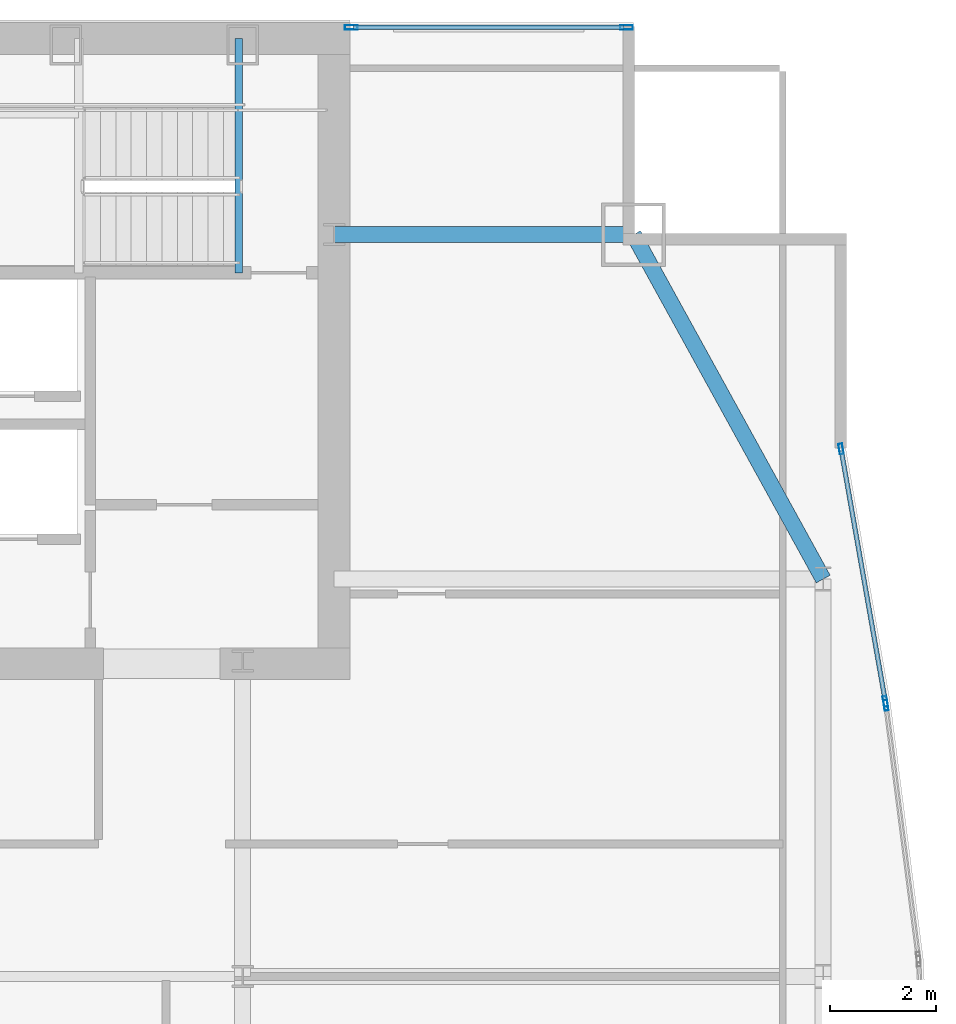
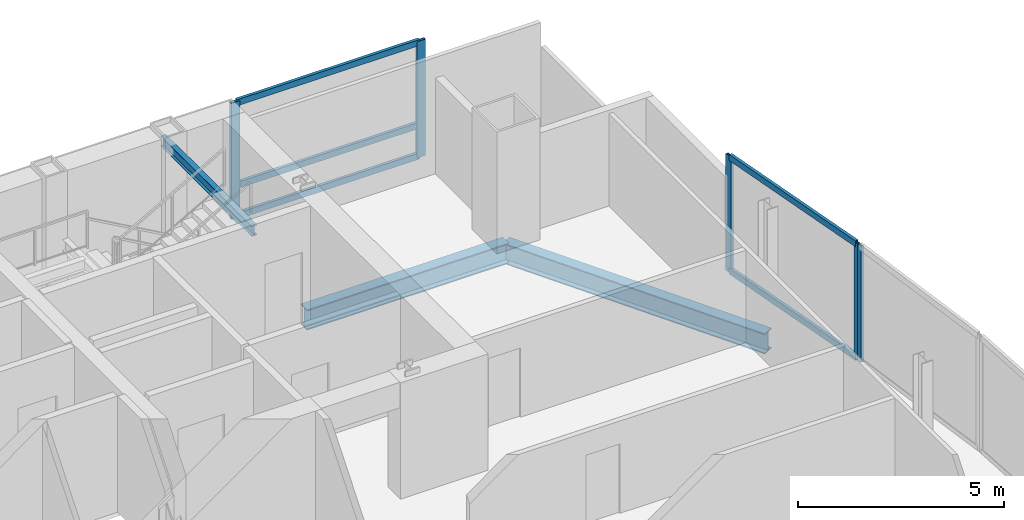
# One storey, part 23 of 30: 10 members, 3 beams, 3 elements without a shape of their own.
"""IFC4 building model written with IfcOpenShell, lengths in metres."""

from ifc_helpers import new_model, si_unit, direction, frame, origin, origin_2d, place, context, subcontext, project, spatial, hollow_rectangle, i_section, extrude, material, material_profile, profile_set, type_object, element, aggregate, save


model = new_model("IFC4")

# Units and contexts
model_context = context("Model", 3, precision=1e-05, world=origin(), true_north=direction((0.0, 1.0)))
body_context = subcontext(model_context, "Body", "Model", "MODEL_VIEW")
ifc_project = project(units=[si_unit("LENGTHUNIT", "METRE"), si_unit("AREAUNIT", "SQUARE_METRE"), si_unit("VOLUMEUNIT", "CUBIC_METRE"), si_unit("PLANEANGLEUNIT", "RADIAN"), si_unit("MASSUNIT", "GRAM", prefix="KILO")], contexts=[model_context])

# Site, building, storey
site_placement = place(None, origin())
site = spatial("IfcSite", under=ifc_project, at=site_placement, CompositionType="ELEMENT")
building_placement = place(site_placement, origin())
building = spatial("IfcBuilding", under=site, at=building_placement, Name="Khoronbel Lancet Exchange", CompositionType="ELEMENT")
storey_placement = place(building_placement, frame((0.0, 0.0, 203.0)))
storey = spatial("IfcBuildingStorey", under=building, at=storey_placement, Name="L51", CompositionType="ELEMENT", Elevation=203.0)

# Beams
ifc_material_1 = material(Name="Steel S355", Category="steel")
ifc_material_profile_1 = material_profile(ifc_material_1, i_section(OverallWidth=0.14990234375, OverallDepth=0.300048828125, WebThickness=0.007080078125, FlangeThickness=0.0107421875, at=origin_2d()), Name="IPE 300")
ifc_profile_set_1 = profile_set([ifc_material_profile_1], Name="Steel S355")
beam_type_1 = type_object("IfcBeamType", Name="BM-BJ8", PredefinedType="JOIST", material=ifc_profile_set_1)
beam_1_placement = place(storey_placement, frame((54.60009765625, 48.97998046875, 3.159912109375), z_axis=(0.0, 1.0, 0.0), x_axis=(-1.0, 0.0, 0.0)))
element("IfcBeam", 1, at=beam_1_placement, inside=storey, type_object=beam_type_1, Name="Level L51 stair ST2 upper-flight arrival trimmer beam", PredefinedType="JOIST", context=body_context, shape_type="SweptSolid", body=[
    extrude(i_section(OverallWidth=0.14990234375, OverallDepth=0.300048828125, WebThickness=0.007080078125, FlangeThickness=0.0107421875, at=origin_2d()), origin(), (0.0, 0.0, 1.0), 4.419921875),
])
ifc_material_profile_2 = material_profile(ifc_material_1, i_section(OverallWidth=0.300048828125, OverallDepth=0.60009765625, WebThickness=0.015380859375, FlangeThickness=0.030029296875, at=origin_2d()), Name="HEB 600")
ifc_profile_set_2 = profile_set([ifc_material_profile_2], Name="Steel S355")
beam_type_2 = type_object("IfcBeamType", Name="BM-BSP2", PredefinedType="SPANDREL", material=ifc_profile_set_2)
beam_2_placement = place(storey_placement, frame((65.6298828125, 43.199951171875, -0.4599609375), z_axis=(-0.482418808117, 0.875940690672, 0.0), x_axis=(-0.875940690672, -0.482418808117, 0.0)))
element("IfcBeam", 2, at=beam_2_placement, inside=storey, type_object=beam_type_2, Name="Level L51 perimeter spandrel beam SP15", PredefinedType="SPANDREL", context=body_context, shape_type="SweptSolid", body=[
    extrude(i_section(OverallWidth=0.300048828125, OverallDepth=0.60009765625, WebThickness=0.015380859375, FlangeThickness=0.030029296875, at=origin_2d()), origin(), (0.0, 0.0, 1.0), 7.420654296875),
])
beam_3_placement = place(storey_placement, frame((62.050048828125, 49.699951171875, -0.4599609375), z_axis=(-1.0, 0.0, 0.0), x_axis=(0.0, -1.0, 0.0)))
element("IfcBeam", 3, at=beam_3_placement, inside=storey, type_object=beam_type_2, Name="Level L51 north flank tie spandrel SP23", PredefinedType="SPANDREL", context=body_context, shape_type="SweptSolid", body=[
    extrude(i_section(OverallWidth=0.300048828125, OverallDepth=0.60009765625, WebThickness=0.015380859375, FlangeThickness=0.030029296875, at=origin_2d()), origin(), (0.0, 0.0, 1.0), 5.650146484375),
])

# Curtain wall, members
ifc_material_2 = material(Name="Low-E Solar Control Insulating Glass", Category="glass")
curtain_wall_type_1 = type_object("IfcCurtainWallType", Name="CW-3", PredefinedType="NOTDEFINED", material=ifc_material_2)
curtain_wall_1_placement = place(storey_placement, origin())
curtain_wall_1 = element("IfcCurtainWall", 4, at=curtain_wall_1_placement, inside=storey, type_object=curtain_wall_type_1, Name="Unitised curtain wall CW-L51-NEFLK", PredefinedType="NOTDEFINED")
ifc_material_3 = material(Name="Bronze-Anodised Aluminium 6063-T6", Category="aluminium")
ifc_material_profile_3 = material_profile(ifc_material_3, hollow_rectangle(XDim=0.0849609375, YDim=0.239990234375, WallThickness=0.006103515625, at=origin_2d()), Name="ALU MULLION 85x240")
ifc_profile_set_3 = profile_set([ifc_material_profile_3], Name="Bronze-Anodised Aluminium 6063-T6")
member_type_1 = type_object("IfcMemberType", Name="MEM-CWM1", PredefinedType="MULLION", material=ifc_profile_set_3)
member_1_placement = place(storey_placement, frame((61.91748046875, 53.610107421875, 0.0), z_axis=(0.0, 0.0, 1.0), x_axis=(0.0, -1.0, 0.0)))
member_1 = element("IfcMember", 5, at=member_1_placement, type_object=member_type_1, Name="CW3 mullion 1", PredefinedType="MULLION", context=body_context, shape_type="SweptSolid", body=[
    extrude(hollow_rectangle(XDim=0.0849609375, YDim=0.239990234375, WallThickness=0.006103515625, at=origin_2d()), origin(), (0.0, 0.0, 1.0), 3.43994140625),
])
member_2_placement = place(storey_placement, frame((56.722412109375, 53.610107421875, 0.0), z_axis=(0.0, 0.0, 1.0), x_axis=(0.0, -1.0, 0.0)))
member_2 = element("IfcMember", 6, at=member_2_placement, type_object=member_type_1, Name="CW3 mullion 2", PredefinedType="MULLION", context=body_context, shape_type="SweptSolid", body=[
    extrude(hollow_rectangle(XDim=0.0849609375, YDim=0.239990234375, WallThickness=0.006103515625, at=origin_2d()), origin(), (0.0, 0.0, 1.0), 3.43994140625),
])

curtain_wall_type_2 = type_object("IfcCurtainWallType", Name="CW-4", PredefinedType="NOTDEFINED", material=ifc_material_2)
curtain_wall_2_placement = place(storey_placement, origin())
curtain_wall_2 = element("IfcCurtainWall", 7, at=curtain_wall_2_placement, inside=storey, type_object=curtain_wall_type_2, Name="Unitised curtain wall CW-L51-E17", PredefinedType="NOTDEFINED")
ifc_material_profile_4 = material_profile(ifc_material_3, hollow_rectangle(XDim=0.074951171875, YDim=0.199951171875, WallThickness=0.0048828125, at=origin_2d()), Name="ALU MULLION 75x200")
ifc_profile_set_4 = profile_set([ifc_material_profile_4], Name="Bronze-Anodised Aluminium 6063-T6")
member_type_2 = type_object("IfcMemberType", Name="MEM-CWM2", PredefinedType="MULLION", material=ifc_profile_set_4)
member_3_placement = place(storey_placement, frame((65.966552734375, 45.6552734375, 0.0), z_axis=(0.0, 0.0, 1.0), x_axis=(0.984944805954, 0.172869110092, 0.0)))
member_3 = element("IfcMember", 8, at=member_3_placement, type_object=member_type_2, Name="CW4 mullion 1", PredefinedType="MULLION", context=body_context, shape_type="SweptSolid", body=[
    extrude(hollow_rectangle(XDim=0.074951171875, YDim=0.199951171875, WallThickness=0.0048828125, at=origin_2d()), origin(), (0.0, 0.0, 1.0), 3.43994140625),
])
member_4_placement = place(storey_placement, frame((66.802734375, 40.89013671875, 0.0), z_axis=(0.0, 0.0, 1.0), x_axis=(0.984944805954, 0.172869110092, 0.0)))
member_4 = element("IfcMember", 9, at=member_4_placement, type_object=member_type_2, Name="CW4 mullion 2", PredefinedType="MULLION", context=body_context, shape_type="SweptSolid", body=[
    extrude(hollow_rectangle(XDim=0.074951171875, YDim=0.199951171875, WallThickness=0.0048828125, at=origin_2d()), origin(), (0.0, 0.0, 1.0), 3.43994140625),
])

# Curtain wall, member
curtain_wall_3_placement = place(storey_placement, origin())
curtain_wall_3 = element("IfcCurtainWall", 10, at=curtain_wall_3_placement, inside=storey, type_object=curtain_wall_type_2, Name="Unitised curtain wall CW-L51-E18", PredefinedType="NOTDEFINED")
member_5_placement = place(storey_placement, frame((66.81396484375, 40.81591796875, 0.0), z_axis=(0.0, 0.0, 1.0), x_axis=(0.991846611095, 0.127437435866, 0.0)))
member_5 = element("IfcMember", 11, at=member_5_placement, type_object=member_type_2, Name="CW4 mullion 1", PredefinedType="MULLION", context=body_context, shape_type="SweptSolid", body=[
    extrude(hollow_rectangle(XDim=0.074951171875, YDim=0.199951171875, WallThickness=0.0048828125, at=origin_2d()), origin(), (0.0, 0.0, 1.0), 3.43994140625),
])
aggregate(curtain_wall_3, [member_5])

# Member
ifc_material_profile_5 = material_profile(ifc_material_3, hollow_rectangle(XDim=0.0849609375, YDim=0.179931640625, WallThickness=0.0048828125, at=origin_2d()), Name="ALU TRANSOM 85x180")
ifc_profile_set_5 = profile_set([ifc_material_profile_5], Name="Bronze-Anodised Aluminium 6063-T6")
member_type_3 = type_object("IfcMemberType", Name="MEM-CWT1", PredefinedType="USERDEFINED", material=ifc_profile_set_5)
member_6_placement = place(storey_placement, frame((61.875, 53.610107421875, 0.04248046875), z_axis=(-1.0, 0.0, 0.0), x_axis=(0.0, -1.0, 0.0)))
member_6 = element("IfcMember", 12, at=member_6_placement, type_object=member_type_3, Name="CW3 transom 1.1", ObjectType="TRANSOM", PredefinedType="USERDEFINED", context=body_context, shape_type="SweptSolid", body=[
    extrude(hollow_rectangle(XDim=0.0849609375, YDim=0.179931640625, WallThickness=0.0048828125, at=origin_2d()), origin(), (0.0, 0.0, 1.0), 5.110107421875),
])

member_7_placement = place(storey_placement, frame((61.875, 53.610107421875, 0.949951171875), z_axis=(-1.0, 0.0, 0.0), x_axis=(0.0, -1.0, 0.0)))
member_7 = element("IfcMember", 13, at=member_7_placement, type_object=member_type_3, Name="CW3 transom 1.2", ObjectType="TRANSOM", PredefinedType="USERDEFINED", context=body_context, shape_type="SweptSolid", body=[
    extrude(hollow_rectangle(XDim=0.0849609375, YDim=0.179931640625, WallThickness=0.0048828125, at=origin_2d()), origin(), (0.0, 0.0, 1.0), 5.110107421875),
])

member_8_placement = place(storey_placement, frame((61.875, 53.610107421875, 3.3974609375), z_axis=(-1.0, 0.0, 0.0), x_axis=(0.0, -1.0, 0.0)))
member_8 = element("IfcMember", 14, at=member_8_placement, type_object=member_type_3, Name="CW3 transom 1.3", ObjectType="TRANSOM", PredefinedType="USERDEFINED", context=body_context, shape_type="SweptSolid", body=[
    extrude(hollow_rectangle(XDim=0.0849609375, YDim=0.179931640625, WallThickness=0.0048828125, at=origin_2d()), origin(), (0.0, 0.0, 1.0), 5.110107421875),
])

aggregate(curtain_wall_1, [member_1, member_2, member_6, member_7, member_8])

member_9_placement = place(storey_placement, frame((65.972900390625, 45.618408203125, 0.04248046875), z_axis=(0.172887587997, -0.984941562691, 0.0), x_axis=(0.984941562691, 0.172887587997, 0.0)))
member_9 = element("IfcMember", 15, at=member_9_placement, type_object=member_type_3, Name="CW4 transom 1.1", ObjectType="TRANSOM", PredefinedType="USERDEFINED", context=body_context, shape_type="SweptSolid", body=[
    extrude(hollow_rectangle(XDim=0.0849609375, YDim=0.179931640625, WallThickness=0.0048828125, at=origin_2d()), origin(), (0.0, 0.0, 1.0), 4.76318359375),
])

member_10_placement = place(storey_placement, frame((65.972900390625, 45.618408203125, 3.3974609375), z_axis=(0.172887587997, -0.984941562691, 0.0), x_axis=(0.984941562691, 0.172887587997, 0.0)))
member_10 = element("IfcMember", 16, at=member_10_placement, type_object=member_type_3, Name="CW4 transom 1.2", ObjectType="TRANSOM", PredefinedType="USERDEFINED", context=body_context, shape_type="SweptSolid", body=[
    extrude(hollow_rectangle(XDim=0.0849609375, YDim=0.179931640625, WallThickness=0.0048828125, at=origin_2d()), origin(), (0.0, 0.0, 1.0), 4.76318359375),
])

aggregate(curtain_wall_2, [member_3, member_4, member_9, member_10])

save(model, "model.ifc")
